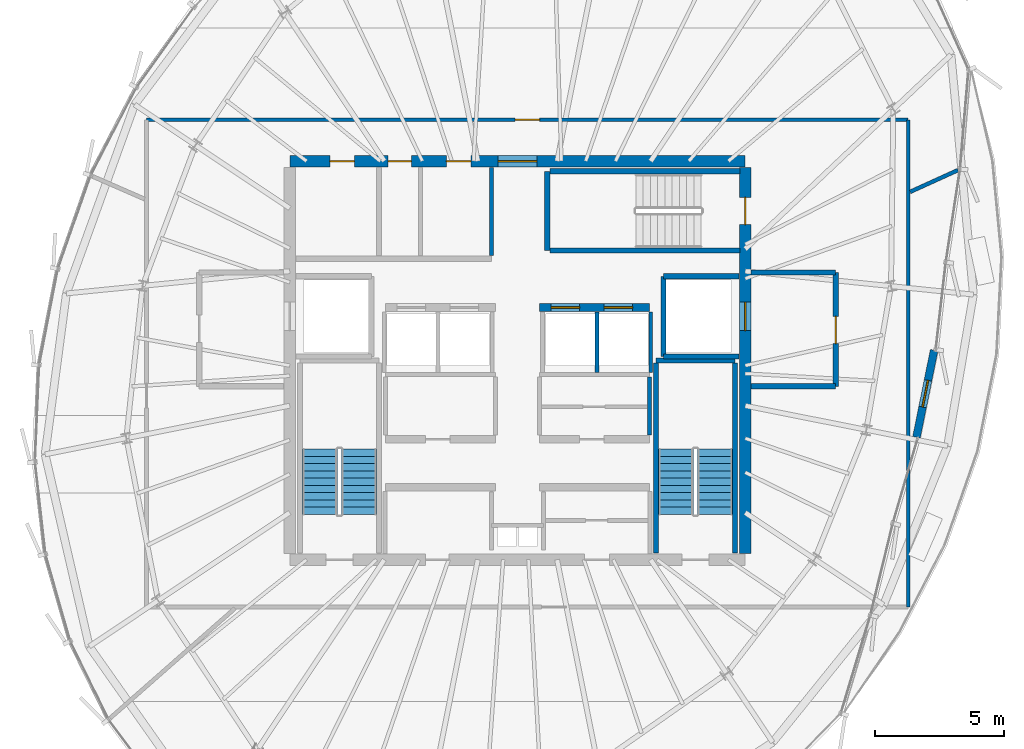
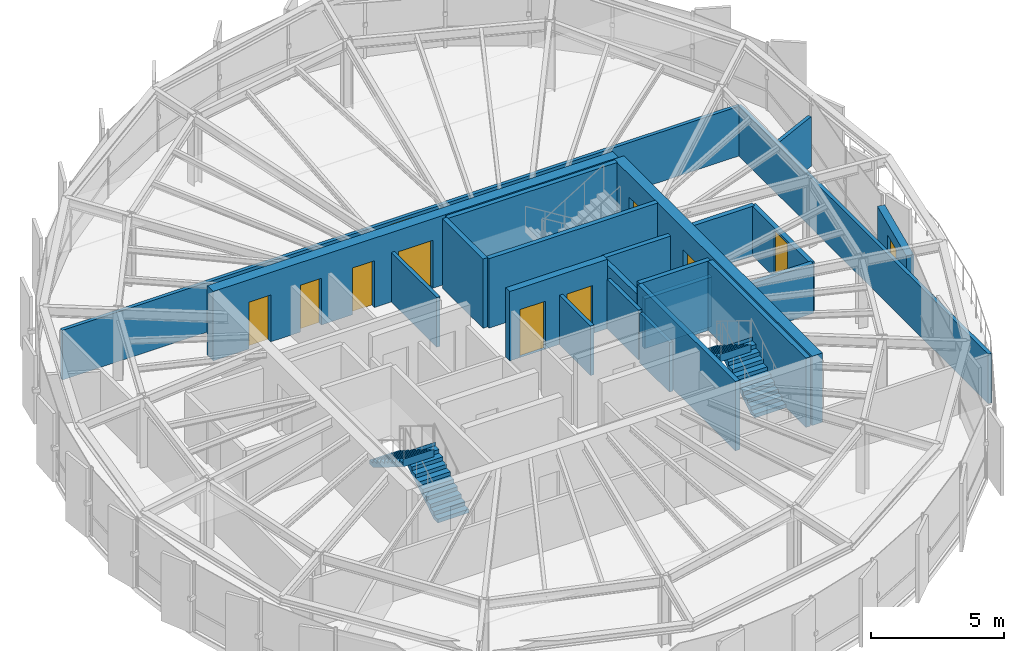
# One storey, part 26 of 31: 23 walls, 11 doors, 4 stair flights, 11 openings, 2 elements without a shape of their own.
"""IFC4 building model written with IfcOpenShell, lengths in metres."""

from ifc_helpers import new_model, si_unit, direction, frame, frame_2d, origin, place, context, subcontext, project, spatial, polyline, rectangle, outline, extrude, source, transform, mapped, material, layer, layer_set, type_object, element, fill, aggregate, save


model = new_model("IFC4")

# Units and contexts
model_context = context("Model", 3, precision=1e-05, world=origin(), true_north=direction((0.0, 1.0)))
body_context = subcontext(model_context, "Body", "Model", "MODEL_VIEW")
ifc_project = project(units=[si_unit("LENGTHUNIT", "METRE"), si_unit("AREAUNIT", "SQUARE_METRE"), si_unit("VOLUMEUNIT", "CUBIC_METRE"), si_unit("PLANEANGLEUNIT", "RADIAN"), si_unit("MASSUNIT", "GRAM", prefix="KILO"), si_unit("THERMODYNAMICTEMPERATUREUNIT", "KELVIN")], contexts=[model_context])

# Site, building, storey
site_placement = place(None, origin())
site = spatial("IfcSite", under=ifc_project, at=site_placement, CompositionType="ELEMENT")
building_placement = place(site_placement, origin())
building = spatial("IfcBuilding", under=site, at=building_placement, Name="Kethvar Cultural Tower", CompositionType="ELEMENT")
storey_placement = place(building_placement, frame((0.0, 0.0, 300.85009765625)))
storey = spatial("IfcBuildingStorey", under=building, at=storey_placement, Name="L80", CompositionType="ELEMENT", Elevation=300.85009765625)

# Wall, openings, doors
ifc_material_1 = material(Name="Concrete C50/60", Category="concrete")
ifc_layer_1 = layer(ifc_material_1, 0.449951171875, Name="Concrete C50/60", Category="concrete")
ifc_layer_set_1 = layer_set([ifc_layer_1], Name="Concrete C50/60 (450 mm)")
wall_type_1 = type_object("IfcWallType", Name="WL-CORE-450", PredefinedType="SHEAR", material=ifc_layer_set_1)
wall_1_placement = place(storey_placement, frame((55.60009765625, 35.5, 0.0), z_axis=(0.0, 0.0, 1.0), x_axis=(-1.0, 0.0, 0.0)))
wall_1 = element("IfcWall", 1, at=wall_1_placement, inside=storey, type_object=wall_type_1, Name="L80 Core Shear Wall N", PredefinedType="SHEAR", context=body_context, shape_type="SweptSolid", body=[
    extrude(rectangle(XDim=17.60009765625, YDim=0.449951171875, at=frame_2d((8.800048828125, 0.0))), origin(), (0.0, 0.0, 1.0), 3.184814453125),
])
opening_1_placement = place(wall_1_placement, frame((8.050048828125, 0.0, 0.0)))
opening_1 = element("IfcOpeningElement", 2, at=opening_1_placement, cuts=wall_1, Name="Opening D-L80-LN", PredefinedType="OPENING", context=body_context, shape_type="SweptSolid", body=[
    extrude(rectangle(XDim=1.5, YDim=2.199951171875, at=frame_2d((0.75, 1.10009765625))), frame((0.0, 0.23486328125, 0.0), z_axis=(0.0, -1.0, 0.0), x_axis=(1.0, 0.0, 0.0)), (0.0, 0.0, 1.0), 0.469970703125),
])
opening_2_placement = place(wall_1_placement, frame((15.10009765625, 0.0, 0.0)))
opening_2 = element("IfcOpeningElement", 3, at=opening_2_placement, cuts=wall_1, Name="Opening D-L80-E1", PredefinedType="OPENING", context=body_context, shape_type="SweptSolid", body=[
    extrude(rectangle(XDim=0.949951171875, YDim=2.14990234375, at=frame_2d((0.47509765625, 1.074951171875))), frame((0.0, 0.23486328125, 0.0), z_axis=(0.0, -1.0, 0.0), x_axis=(1.0, 0.0, 0.0)), (0.0, 0.0, 1.0), 0.469970703125),
])
opening_3_placement = place(wall_1_placement, frame((12.89990234375, 0.0, 0.0)))
opening_3 = element("IfcOpeningElement", 4, at=opening_3_placement, cuts=wall_1, Name="Opening D-L80-W1", PredefinedType="OPENING", context=body_context, shape_type="SweptSolid", body=[
    extrude(rectangle(XDim=0.89990234375, YDim=2.14990234375, at=frame_2d((0.449951171875, 1.074951171875))), frame((0.0, 0.23486328125, 0.0), z_axis=(0.0, -1.0, 0.0), x_axis=(1.0, 0.0, 0.0)), (0.0, 0.0, 1.0), 0.469970703125),
])
opening_4_placement = place(wall_1_placement, frame((10.60009765625, 0.0, 0.0)))
opening_4 = element("IfcOpeningElement", 5, at=opening_4_placement, cuts=wall_1, Name="Opening D-L80-W2", PredefinedType="OPENING", context=body_context, shape_type="SweptSolid", body=[
    extrude(rectangle(XDim=0.949951171875, YDim=2.14990234375, at=frame_2d((0.47509765625, 1.074951171875))), frame((0.0, 0.23486328125, 0.0), z_axis=(0.0, -1.0, 0.0), x_axis=(1.0, 0.0, 0.0)), (0.0, 0.0, 1.0), 0.469970703125),
])
ifc_material_2 = material(Name="Architectural Oak Timber", Category="wood")
door_type_1 = type_object("IfcDoorType", Name="DR-DBL-FD60-1500", OperationType="DOUBLE_DOOR_SINGLE_SWING", PredefinedType="DOOR", material=ifc_material_2)
shared_shape_1 = source(origin(), body_context, "Body", "SweptSolid", [
    extrude(rectangle(XDim=1.5, YDim=2.199951171875, at=frame_2d((0.75, 1.10009765625))), frame((0.0, 0.02490234375, 0.0), z_axis=(0.0, -1.0, 0.0), x_axis=(1.0, 0.0, 0.0)), (0.0, 0.0, 1.0), 0.050048828125),
])
door_1_placement = place(opening_1_placement, origin())
door_1 = element("IfcDoor", 6, at=door_1_placement, inside=storey, type_object=door_type_1, Name="L80 Lift Lobby Concourse Door", OperationType="DOUBLE_DOOR_SINGLE_SWING", OverallHeight=2.199951171875, OverallWidth=1.5, PredefinedType="DOOR", context=body_context, shape_type="MappedRepresentation", body=[
    mapped(shared_shape_1, transform((0.0, 0.0, 0.0), scale=1.0)),
])
fill(opening_1, door_1)
door_type_2 = type_object("IfcDoorType", Name="DR-FD30-950", OperationType="NOTDEFINED", PredefinedType="DOOR", material=ifc_material_2)
shared_shape_2 = source(origin(), body_context, "Body", "SweptSolid", [
    extrude(rectangle(XDim=0.949951171875, YDim=2.14990234375, at=frame_2d((0.47509765625, 1.074951171875))), frame((0.0, 0.02490234375, 0.0), z_axis=(0.0, -1.0, 0.0), x_axis=(1.0, 0.0, 0.0)), (0.0, 0.0, 1.0), 0.050048828125),
])
door_2_placement = place(opening_2_placement, origin())
door_2 = element("IfcDoor", 7, at=door_2_placement, inside=storey, type_object=door_type_2, Name="L80 Electrical Switchgear Door", OperationType="SINGLE_SWING_RIGHT", OverallHeight=2.14990234375, OverallWidth=0.949951171875, PredefinedType="DOOR", context=body_context, shape_type="MappedRepresentation", body=[
    mapped(shared_shape_2, transform((0.0, 0.0, 0.0), scale=1.0)),
])
fill(opening_2, door_2)
door_3_placement = place(opening_4_placement, origin())
door_3 = element("IfcDoor", 8, at=door_3_placement, inside=storey, type_object=door_type_2, Name="L80 Public Washroom Door", OperationType="SINGLE_SWING_RIGHT", OverallHeight=2.14990234375, OverallWidth=0.949951171875, PredefinedType="DOOR", context=body_context, shape_type="MappedRepresentation", body=[
    mapped(shared_shape_2, transform((0.0, 0.0, 0.0), scale=1.0)),
])
fill(opening_4, door_3)
door_type_3 = type_object("IfcDoorType", Name="DR-FD30-900", OperationType="NOTDEFINED", PredefinedType="DOOR", material=ifc_material_2)
shared_shape_3 = source(origin(), body_context, "Body", "SweptSolid", [
    extrude(rectangle(XDim=0.89990234375, YDim=2.14990234375, at=frame_2d((0.449951171875, 1.074951171875))), frame((0.0, 0.02490234375, 0.0), z_axis=(0.0, -1.0, 0.0), x_axis=(1.0, 0.0, 0.0)), (0.0, 0.0, 1.0), 0.050048828125),
])
door_4_placement = place(opening_3_placement, origin())
door_4 = element("IfcDoor", 9, at=door_4_placement, inside=storey, type_object=door_type_3, Name="L80 Accessible Washroom Door", OperationType="SINGLE_SWING_LEFT", OverallHeight=2.14990234375, OverallWidth=0.89990234375, PredefinedType="DOOR", context=body_context, shape_type="MappedRepresentation", body=[
    mapped(shared_shape_3, transform((0.0, 0.0, 0.0), scale=1.0)),
])
fill(opening_3, door_4)

wall_2_placement = place(storey_placement, frame((55.60009765625, 20.340087890625, 0.0), z_axis=(0.0, 0.0, 1.0), x_axis=(0.0, 1.0, 0.0)))
wall_2 = element("IfcWall", 10, at=wall_2_placement, inside=storey, type_object=wall_type_1, Name="L80 Core Shear Wall E", PredefinedType="SHEAR", context=body_context, shape_type="SweptSolid", body=[
    extrude(rectangle(XDim=14.919921875, YDim=0.449951171875, at=frame_2d((7.4599609375, 0.0))), origin(), (0.0, 0.0, 1.0), 3.184814453125),
])
opening_5_placement = place(wall_2_placement, frame((12.7099609375, 0.0, 0.0)))
opening_5 = element("IfcOpeningElement", 11, at=opening_5_placement, cuts=wall_2, Name="Opening D-L80-S3", PredefinedType="OPENING", context=body_context, shape_type="SweptSolid", body=[
    extrude(rectangle(XDim=1.050048828125, YDim=2.14990234375, at=frame_2d((0.52490234375, 1.074951171875))), frame((0.0, 0.23486328125, 0.0), z_axis=(0.0, -1.0, 0.0), x_axis=(1.0, 0.0, 0.0)), (0.0, 0.0, 1.0), 0.469970703125),
])
opening_6_placement = place(wall_2_placement, frame((8.610107421875, 0.0, 0.0)))
opening_6 = element("IfcOpeningElement", 12, at=opening_6_placement, cuts=wall_2, Name="Opening LD-2", PredefinedType="OPENING", context=body_context, shape_type="SweptSolid", body=[
    extrude(rectangle(XDim=1.10009765625, YDim=2.199951171875, at=frame_2d((0.550048828125, 1.10009765625))), frame((0.0, 0.23486328125, 0.0), z_axis=(0.0, -1.0, 0.0), x_axis=(1.0, 0.0, 0.0)), (0.0, 0.0, 1.0), 0.469970703125),
])
ifc_material_3 = material(Name="Steel S355J2", Category="steel")
door_type_4 = type_object("IfcDoorType", Name="DR-FD60-1050", OperationType="NOTDEFINED", PredefinedType="DOOR", material=ifc_material_3)
shared_shape_4 = source(origin(), body_context, "Body", "SweptSolid", [
    extrude(rectangle(XDim=1.050048828125, YDim=2.14990234375, at=frame_2d((0.52490234375, 1.074951171875))), frame((0.0, 0.02490234375, 0.0), z_axis=(0.0, -1.0, 0.0), x_axis=(1.0, 0.0, 0.0)), (0.0, 0.0, 1.0), 0.050048828125),
])
door_5_placement = place(opening_5_placement, origin())
door_5 = element("IfcDoor", 13, at=door_5_placement, inside=storey, type_object=door_type_4, Name="L80 Exit Stair 3 Door", OperationType="SINGLE_SWING_LEFT", OverallHeight=2.14990234375, OverallWidth=1.050048828125, PredefinedType="DOOR", context=body_context, shape_type="MappedRepresentation", body=[
    mapped(shared_shape_4, transform((0.0, 0.0, 0.0), scale=1.0)),
])
fill(opening_5, door_5)
door_type_5 = type_object("IfcDoorType", Name="DR-LIFT-SLIDE-1100", OperationType="NOTDEFINED", PredefinedType="DOOR", material=ifc_material_3)
shared_shape_5 = source(origin(), body_context, "Body", "SweptSolid", [
    extrude(rectangle(XDim=1.10009765625, YDim=2.199951171875, at=frame_2d((0.550048828125, 1.10009765625))), frame((0.0, 0.02490234375, 0.0), z_axis=(0.0, -1.0, 0.0), x_axis=(1.0, 0.0, 0.0)), (0.0, 0.0, 1.0), 0.050048828125),
])
door_6_placement = place(opening_6_placement, origin())
door_6 = element("IfcDoor", 14, at=door_6_placement, inside=storey, type_object=door_type_5, Name="L80 Firefighting Lift Landing Door FFL-02", OperationType="SLIDING_TO_RIGHT", OverallHeight=2.199951171875, OverallWidth=1.10009765625, PredefinedType="DOOR", context=body_context, shape_type="MappedRepresentation", body=[
    mapped(shared_shape_5, transform((0.0, 0.0, 0.0), scale=1.0)),
])
fill(opening_6, door_6)

# Wall, opening, door
ifc_material_4 = material(Name="Concrete C40/50", Category="concrete")
ifc_layer_2 = layer(ifc_material_4, 0.300048828125, Name="Concrete C40/50", Category="concrete")
ifc_layer_set_2 = layer_set([ifc_layer_2], Name="Concrete C40/50 (300 mm)")
wall_type_2 = type_object("IfcWallType", Name="WL-EXT-TER-300", PredefinedType="SOLIDWALL", material=ifc_layer_set_2)
wall_3_placement = place(storey_placement, frame((62.905029296875, 28.197021484375, 0.0), z_axis=(0.0, 0.0, 1.0), x_axis=(-0.199011946344, -0.979997063879, 0.0)))
wall_3 = element("IfcWall", 15, at=wall_3_placement, inside=storey, type_object=wall_type_2, Name="L80 Sky Terrace Access Wall", PredefinedType="SOLIDWALL", context=body_context, shape_type="SweptSolid", body=[
    extrude(rectangle(XDim=3.436279296875, YDim=0.300048828125, at=frame_2d((1.71826171875, 0.0))), origin(), (0.0, 0.0, 1.0), 2.7099609375),
])
opening_7_placement = place(wall_3_placement, frame((1.193115234375, 0.0, 0.0)))
opening_7 = element("IfcOpeningElement", 16, at=opening_7_placement, cuts=wall_3, Name="Opening D-L80-T1", PredefinedType="OPENING", context=body_context, shape_type="SweptSolid", body=[
    extrude(rectangle(XDim=1.050048828125, YDim=2.199951171875, at=frame_2d((0.52490234375, 1.10009765625))), frame((0.0, 0.159912109375, 0.0), z_axis=(0.0, -1.0, 0.0), x_axis=(1.0, 0.0, 0.0)), (0.0, 0.0, 1.0), 0.320068359375),
])
ifc_material_5 = material(Name="Aluminium 6063-T6", Category="aluminium")
door_type_6 = type_object("IfcDoorType", Name="DR-EXT-TER-1050", OperationType="NOTDEFINED", PredefinedType="DOOR", material=ifc_material_5)
shared_shape_6 = source(origin(), body_context, "Body", "SweptSolid", [
    extrude(rectangle(XDim=1.050048828125, YDim=2.199951171875, at=frame_2d((0.52490234375, 1.10009765625))), frame((0.0, 0.02490234375, 0.0), z_axis=(0.0, -1.0, 0.0), x_axis=(1.0, 0.0, 0.0)), (0.0, 0.0, 1.0), 0.050048828125),
])
door_7_placement = place(opening_7_placement, origin())
door_7 = element("IfcDoor", 17, at=door_7_placement, inside=storey, type_object=door_type_6, Name="L80 Sky Terrace Access Door D-L80-T1", OperationType="SINGLE_SWING_LEFT", OverallHeight=2.199951171875, OverallWidth=1.050048828125, PredefinedType="DOOR", context=body_context, shape_type="MappedRepresentation", body=[
    mapped(shared_shape_6, transform((0.0, 0.0, 0.0), scale=1.0)),
])
fill(opening_7, door_7)

# Walls
ifc_material_6 = material(Name="Gypsum Fireboard Partition")
ifc_layer_3 = layer(ifc_material_6, 0.14990234375, Name="Gypsum Fireboard Partition")
ifc_layer_set_3 = layer_set([ifc_layer_3], Name="Gypsum Fireboard Partition (150 mm)")
wall_type_3 = type_object("IfcWallType", Name="WL-FIRE-150", PredefinedType="PARTITIONING", material=ifc_layer_set_3)
wall_4_placement = place(storey_placement, frame((51.89990234375, 24.919921875, 0.0), z_axis=(0.0, 0.0, 1.0), x_axis=(0.0, 1.0, 0.0)))
element("IfcWall", 18, at=wall_4_placement, inside=storey, type_object=wall_type_3, Name="L80 Reclaimed Mid Outer E", PredefinedType="PARTITIONING", context=body_context, shape_type="SweptSolid", body=[
    extrude(rectangle(XDim=2.239990234375, YDim=0.14990234375, at=frame_2d((1.1201171875, 0.0))), origin(), (0.0, 0.0, 1.0), 2.27978515625),
])
for number, where, z_axis, x_axis, name in (
    (19, (49.875, 27.340087890625, 0.0), (0.0, 0.0, 1.0), (0.0, 1.0, 0.0), "L80 High-Rise Lift Shaft Divider E"),
    (20, (51.949951171875, 27.340087890625, 0.0), (0.0, 0.0, 1.0), (0.0, 1.0, 0.0), "L80 High-Rise Lift Shaft Outer Wall E"),
):
    element("IfcWall", number, at=place(storey_placement, frame(where, z_axis=z_axis, x_axis=x_axis)), inside=storey, type_object=wall_type_3, Name=name, PredefinedType="PARTITIONING", context=body_context, shape_type="SweptSolid", body=[
        extrude(rectangle(XDim=2.33984375, YDim=0.14990234375, at=frame_2d((1.169921875, 0.0))), origin(), (0.0, 0.0, 1.0), 2.27978515625),
    ])
wall_5_placement = place(storey_placement, frame((45.800048828125, 31.85009765625, 0.0), z_axis=(0.0, 0.0, 1.0), x_axis=(0.0, 1.0, 0.0)))
element("IfcWall", 21, at=wall_5_placement, inside=storey, type_object=wall_type_3, Name="L80 Sanitary Spine Wall", PredefinedType="PARTITIONING", context=body_context, shape_type="SweptSolid", body=[
    extrude(rectangle(XDim=3.414794921875, YDim=0.14990234375, at=frame_2d((1.70751953125, 0.0))), origin(), (0.0, 0.0, 1.0), 2.27978515625),
])
wall_6_placement = place(storey_placement, frame((61.902099609375, 18.26904296875, 0.0), z_axis=(0.0, 0.0, 1.0), x_axis=(0.0, 1.0, 0.0)))
element("IfcWall", 22, at=wall_6_placement, inside=storey, type_object=wall_type_3, Name="L80 Corridor Rated Wall E", PredefinedType="PARTITIONING", context=body_context, shape_type="SweptSolid", body=[
    extrude(rectangle(XDim=18.8310546875, YDim=0.14990234375, at=frame_2d((9.41552734375, 0.0))), origin(), (0.0, 0.0, 1.0), 2.27978515625),
])

# Wall, opening, door
wall_7_placement = place(storey_placement, frame((61.902099609375, 37.10009765625, 0.0), z_axis=(0.0, 0.0, 1.0), x_axis=(-1.0, 0.0, 0.0)))
wall_7 = element("IfcWall", 23, at=wall_7_placement, inside=storey, type_object=wall_type_3, Name="L80 Corridor Rated Wall N", PredefinedType="PARTITIONING", context=body_context, shape_type="SweptSolid", body=[
    extrude(rectangle(XDim=29.442138671875, YDim=0.14990234375, at=frame_2d((14.72119140625, 0.0))), origin(), (0.0, 0.0, 1.0), 2.27978515625),
])
opening_8_placement = place(wall_7_placement, frame((14.24609375, 0.0, 0.0)))
opening_8 = element("IfcOpeningElement", 24, at=opening_8_placement, cuts=wall_7, Name="Opening D-L80-02", PredefinedType="OPENING", context=body_context, shape_type="SweptSolid", body=[
    extrude(rectangle(XDim=0.949951171875, YDim=2.14990234375, at=frame_2d((0.47509765625, 1.074951171875))), frame((0.0, 0.0849609375, 0.0), z_axis=(0.0, -1.0, 0.0), x_axis=(1.0, 0.0, 0.0)), (0.0, 0.0, 1.0), 0.169921875),
])
door_8_placement = place(opening_8_placement, origin())
door_8 = element("IfcDoor", 25, at=door_8_placement, inside=storey, type_object=door_type_2, Name="L80 Panoramic Viewing Exhibition Gallery 02 Door", OperationType="SINGLE_SWING_RIGHT", OverallHeight=2.14990234375, OverallWidth=0.949951171875, PredefinedType="DOOR", context=body_context, shape_type="MappedRepresentation", body=[
    mapped(shared_shape_2, transform((0.0, 0.0, 0.0), scale=1.0)),
])
fill(opening_8, door_8)

# Walls
ifc_layer_4 = layer(ifc_material_4, 0.199951171875, Name="Concrete C40/50", Category="concrete")
ifc_layer_set_4 = layer_set([ifc_layer_4], Name="Concrete C40/50 (200 mm)")
wall_type_4 = type_object("IfcWallType", Name="WL-FIRE-200", PredefinedType="PARTITIONING", material=ifc_layer_set_4)
wall_8_placement = place(storey_placement, frame((52.449951171875, 27.949951171875, 0.0), z_axis=(0.0, 0.0, 1.0), x_axis=(0.0, 1.0, 0.0)))
element("IfcWall", 26, at=wall_8_placement, inside=storey, type_object=wall_type_4, Name="L80 FFL-02 Shaft Inner Wall", PredefinedType="PARTITIONING", context=body_context, shape_type="SweptSolid", body=[
    extrude(rectangle(XDim=3.10009765625, YDim=0.199951171875, at=frame_2d((1.550048828125, 0.0))), origin(), (0.0, 0.0, 1.0), 2.27978515625),
])
for number, where, z_axis, x_axis, name in (
    (27, (52.449951171875, 27.949951171875, 0.0), (0.0, 0.0, 1.0), (1.0, 0.0, 0.0), "L80 FFL-02 Shaft South Wall"),
    (28, (52.449951171875, 31.050048828125, 0.0), (0.0, 0.0, 1.0), (1.0, 0.0, 0.0), "L80 FFL-02 Shaft North Wall"),
):
    element("IfcWall", number, at=place(storey_placement, frame(where, z_axis=z_axis, x_axis=x_axis)), inside=storey, type_object=wall_type_4, Name=name, PredefinedType="PARTITIONING", context=body_context, shape_type="SweptSolid", body=[
        extrude(rectangle(XDim=2.9150390625, YDim=0.199951171875, at=frame_2d((1.45751953125, 0.0))), origin(), (0.0, 0.0, 1.0), 2.27978515625),
    ])

# Wall, opening, door
wall_9_placement = place(storey_placement, frame((59.10009765625, 26.800048828125, 0.0), z_axis=(0.0, 0.0, 1.0), x_axis=(0.0, 1.0, 0.0)))
wall_9 = element("IfcWall", 29, at=wall_9_placement, inside=storey, type_object=wall_type_4, Name="L80 Firefighting Lobby 2 Wall", PredefinedType="PARTITIONING", context=body_context, shape_type="SweptSolid", body=[
    extrude(rectangle(XDim=4.39990234375, YDim=0.199951171875, at=frame_2d((2.199951171875, 0.0))), origin(), (0.0, 0.0, 1.0), 2.27978515625),
])
opening_9_placement = place(wall_9_placement, frame((1.64990234375, 0.0, 0.0)))
opening_9 = element("IfcOpeningElement", 30, at=opening_9_placement, cuts=wall_9, Name="Opening D-L80-F2", PredefinedType="OPENING", context=body_context, shape_type="SweptSolid", body=[
    extrude(rectangle(XDim=1.050048828125, YDim=2.14990234375, at=frame_2d((0.52490234375, 1.074951171875))), frame((0.0, 0.10986328125, 0.0), z_axis=(0.0, -1.0, 0.0), x_axis=(1.0, 0.0, 0.0)), (0.0, 0.0, 1.0), 0.219970703125),
])
door_9_placement = place(opening_9_placement, origin())
door_9 = element("IfcDoor", 31, at=door_9_placement, inside=storey, type_object=door_type_4, Name="L80 Firefighting Lobby 2 Fire Door", OperationType="SINGLE_SWING_LEFT", OverallHeight=2.14990234375, OverallWidth=1.050048828125, PredefinedType="DOOR", context=body_context, shape_type="MappedRepresentation", body=[
    mapped(shared_shape_4, transform((0.0, 0.0, 0.0), scale=1.0)),
])
fill(opening_9, door_9)

# Walls
for number, where, z_axis, x_axis, name in (
    (32, (55.8349609375, 26.800048828125, 0.0), (0.0, 0.0, 1.0), (1.0, 0.0, 0.0), "L80 FF Lobby 2 South Wall"),
    (33, (55.8349609375, 31.199951171875, 0.0), (0.0, 0.0, 1.0), (1.0, 0.0, 0.0), "L80 FF Lobby 2 North Wall"),
):
    element("IfcWall", number, at=place(storey_placement, frame(where, z_axis=z_axis, x_axis=x_axis)), inside=storey, type_object=wall_type_4, Name=name, PredefinedType="PARTITIONING", context=body_context, shape_type="SweptSolid", body=[
        extrude(rectangle(XDim=3.26513671875, YDim=0.199951171875, at=frame_2d((1.632568359375, 0.0))), origin(), (0.0, 0.0, 1.0), 2.27978515625),
    ])
ifc_material_7 = material(Name="Gypsum Acoustic Partition")
ifc_layer_5 = layer(ifc_material_7, 0.14990234375, Name="Gypsum Acoustic Partition")
ifc_layer_set_5 = layer_set([ifc_layer_5], Name="Gypsum Acoustic Partition (150 mm)")
wall_type_5 = type_object("IfcWallType", Name="WL-PART-150", PredefinedType="PARTITIONING", material=ifc_layer_set_5)
wall_10_placement = place(storey_placement, frame((61.974853515625, 34.3134765625, 0.0), z_axis=(0.0, 0.0, 1.0), x_axis=(0.910329433421, 0.413884431512, 0.0)))
element("IfcWall", 34, at=wall_10_placement, inside=storey, type_object=wall_type_5, Name="L80 Radial Partition Wall 03", PredefinedType="PARTITIONING", context=body_context, shape_type="SweptSolid", body=[
    extrude(rectangle(XDim=2.031494140625, YDim=0.14990234375, at=frame_2d((1.015625, 0.0))), origin(), (0.0, 0.0, 1.0), 2.27978515625),
])

# Wall, openings, doors
ifc_layer_6 = layer(ifc_material_1, 0.300048828125, Name="Concrete C50/60", Category="concrete")
ifc_layer_set_6 = layer_set([ifc_layer_6], Name="Concrete C50/60 (300 mm)")
wall_type_6 = type_object("IfcWallType", Name="WL-SHAFT-300", PredefinedType="SHEAR", material=ifc_layer_set_6)
wall_11_placement = place(storey_placement, frame((47.64990234375, 29.85009765625, 0.0), z_axis=(0.0, 0.0, 1.0), x_axis=(1.0, 0.0, 0.0)))
wall_11 = element("IfcWall", 35, at=wall_11_placement, inside=storey, type_object=wall_type_6, Name="L80 Core Lift Spine Wall MID3E", PredefinedType="SHEAR", context=body_context, shape_type="SweptSolid", body=[
    extrude(rectangle(XDim=4.25, YDim=0.300048828125, at=frame_2d((2.125, 0.0))), origin(), (0.0, 0.0, 1.0), 3.184814453125),
])
opening_10_placement = place(wall_11_placement, frame((0.449951171875, 0.0, 0.0)))
opening_10 = element("IfcOpeningElement", 36, at=opening_10_placement, cuts=wall_11, Name="Opening LD-H3", PredefinedType="OPENING", context=body_context, shape_type="SweptSolid", body=[
    extrude(rectangle(XDim=1.10009765625, YDim=2.199951171875, at=frame_2d((0.550048828125, 1.10009765625))), frame((0.0, 0.159912109375, 0.0), z_axis=(0.0, -1.0, 0.0), x_axis=(1.0, 0.0, 0.0)), (0.0, 0.0, 1.0), 0.320068359375),
])
opening_11_placement = place(wall_11_placement, frame((2.5, 0.0, 0.0)))
opening_11 = element("IfcOpeningElement", 37, at=opening_11_placement, cuts=wall_11, Name="Opening LD-H4", PredefinedType="OPENING", context=body_context, shape_type="SweptSolid", body=[
    extrude(rectangle(XDim=1.10009765625, YDim=2.199951171875, at=frame_2d((0.550048828125, 1.10009765625))), frame((0.0, 0.159912109375, 0.0), z_axis=(0.0, -1.0, 0.0), x_axis=(1.0, 0.0, 0.0)), (0.0, 0.0, 1.0), 0.320068359375),
])
door_10_placement = place(opening_10_placement, origin())
door_10 = element("IfcDoor", 38, at=door_10_placement, inside=storey, type_object=door_type_5, Name="L80 High-Rise Lift Landing Door H3", OperationType="SLIDING_TO_LEFT", OverallHeight=2.199951171875, OverallWidth=1.10009765625, PredefinedType="DOOR", context=body_context, shape_type="MappedRepresentation", body=[
    mapped(shared_shape_5, transform((0.0, 0.0, 0.0), scale=1.0)),
])
fill(opening_10, door_10)
door_11_placement = place(opening_11_placement, origin())
door_11 = element("IfcDoor", 39, at=door_11_placement, inside=storey, type_object=door_type_5, Name="L80 High-Rise Lift Landing Door H4", OperationType="SLIDING_TO_LEFT", OverallHeight=2.199951171875, OverallWidth=1.10009765625, PredefinedType="DOOR", context=body_context, shape_type="MappedRepresentation", body=[
    mapped(shared_shape_5, transform((0.0, 0.0, 0.0), scale=1.0)),
])
fill(opening_11, door_11)

# Walls
ifc_layer_7 = layer(ifc_material_1, 0.199951171875, Name="Concrete C50/60", Category="concrete")
ifc_layer_set_7 = layer_set([ifc_layer_7], Name="Concrete C50/60 (200 mm)")
wall_type_7 = type_object("IfcWallType", Name="WL-STSHAFT-200", PredefinedType="SHEAR", material=ifc_layer_set_7)
wall_12_placement = place(storey_placement, frame((52.14990234375, 27.800048828125, 0.0), z_axis=(0.0, 0.0, 1.0), x_axis=(1.0, 0.0, 0.0)))
element("IfcWall", 40, at=wall_12_placement, inside=storey, type_object=wall_type_7, Name="L80 ST-02 Stair Shaft Wall FAR", PredefinedType="SHEAR", context=body_context, shape_type="SweptSolid", body=[
    extrude(rectangle(XDim=3.06005859375, YDim=0.199951171875, at=frame_2d((1.530029296875, 0.0))), origin(), (0.0, 0.0, 1.0), 3.184814453125),
])
for number, where, z_axis, x_axis, name in (
    (41, (55.2099609375, 27.699951171875, 0.0), (0.0, 0.0, 1.0), (0.0, -1.0, 0.0), "L80 ST-02 Stair Shaft Wall LEFT"),
    (42, (52.14990234375, 20.35009765625, 0.0), (0.0, 0.0, 1.0), (0.0, 1.0, 0.0), "L80 ST-02 Stair Shaft Wall RIGHT"),
):
    element("IfcWall", number, at=place(storey_placement, frame(where, z_axis=z_axis, x_axis=x_axis)), inside=storey, type_object=wall_type_7, Name=name, PredefinedType="SHEAR", context=body_context, shape_type="SweptSolid", body=[
        extrude(rectangle(XDim=7.349853515625, YDim=0.199951171875, at=frame_2d((3.6748046875, 0.0))), origin(), (0.0, 0.0, 1.0), 3.184814453125),
    ])
wall_13_placement = place(storey_placement, frame((47.949951171875, 32.050048828125, 0.0), z_axis=(0.0, 0.0, 1.0), x_axis=(0.0, 1.0, 0.0)))
element("IfcWall", 43, at=wall_13_placement, inside=storey, type_object=wall_type_7, Name="L80 ST-03 Stair Shaft Wall FAR", PredefinedType="SHEAR", context=body_context, shape_type="SweptSolid", body=[
    extrude(rectangle(XDim=3.06005859375, YDim=0.199951171875, at=frame_2d((1.530029296875, 0.0))), origin(), (0.0, 0.0, 1.0), 3.184814453125),
])
for number, where, z_axis, x_axis, name in (
    (44, (48.050048828125, 35.110107421875, 0.0), (0.0, 0.0, 1.0), (1.0, 0.0, 0.0), "L80 ST-03 Stair Shaft Wall LEFT"),
    (45, (55.39990234375, 32.050048828125, 0.0), (0.0, 0.0, 1.0), (-1.0, 0.0, 0.0), "L80 ST-03 Stair Shaft Wall RIGHT"),
):
    element("IfcWall", number, at=place(storey_placement, frame(where, z_axis=z_axis, x_axis=x_axis)), inside=storey, type_object=wall_type_7, Name=name, PredefinedType="SHEAR", context=body_context, shape_type="SweptSolid", body=[
        extrude(rectangle(XDim=7.349853515625, YDim=0.199951171875, at=frame_2d((3.6748046875, 0.0))), origin(), (0.0, 0.0, 1.0), 3.184814453125),
    ])

# Stair, stair flights
stair_type = type_object("IfcStairType", Name="ST-DOGLEG-135", PredefinedType="HALF_TURN_STAIR", material=ifc_material_4)
stair_1_placement = place(storey_placement, origin())
stair_1 = element("IfcStair", 46, at=stair_1_placement, inside=storey, type_object=stair_type, Name="L80 Core Exit Stair 1", PredefinedType="HALF_TURN_STAIR")
stair_flight_type = type_object("IfcStairFlightType", Name="FL-STRAIGHT-135", PredefinedType="STRAIGHT", material=ifc_material_4)
stair_flight_1_placement = place(storey_placement, frame((40.675048828125, 21.85009765625, 0.0), z_axis=(0.0, 0.0, 1.0), x_axis=(0.0, 1.0, 0.0)))
stair_flight_1 = element("IfcStairFlight", 47, at=stair_flight_1_placement, type_object=stair_flight_type, Name="ST-01 flight 1", NumberOfRisers=10, NumberOfTreads=9, PredefinedType="STRAIGHT", RiserHeight=0.1725, TreadLength=0.28, context=body_context, shape_type="SweptSolid", body=[
    extrude(outline(polyline([(-0.0009765625, -0.0009765625), (-0.0009765625, 0.172607421875), (0.280029296875, 0.172607421875), (0.280029296875, 0.344970703125), (0.56005859375, 0.344970703125), (0.56005859375, 0.517578125), (0.840087890625, 0.517578125), (0.840087890625, 0.68994140625), (1.1201171875, 0.68994140625), (1.1201171875, 0.862548828125), (1.39990234375, 0.862548828125), (1.39990234375, 1.034912109375), (1.679931640625, 1.034912109375), (1.679931640625, 1.20751953125), (1.9599609375, 1.20751953125), (1.9599609375, 1.3798828125), (2.239990234375, 1.3798828125), (2.239990234375, 1.552490234375), (2.52001953125, 1.552490234375), (2.52001953125, 1.72509765625), (2.52099609375, 1.72509765625), (2.52099609375, 1.37646484375), (0.285888671875, 0.0), (0.0, -0.0009765625), (-0.0009765625, -0.0009765625)])), frame((0.0, 0.675048828125, 0.0), z_axis=(0.0, -1.0, 0.0), x_axis=(1.0, 0.0, 0.0)), (0.0, 0.0, 1.0), 1.35009765625),
])
stair_flight_2_placement = place(storey_placement, frame((39.1650390625, 24.3701171875, 1.724853515625), z_axis=(0.0, 0.0, 1.0), x_axis=(0.0, -1.0, 0.0)))
stair_flight_2 = element("IfcStairFlight", 48, at=stair_flight_2_placement, type_object=stair_flight_type, Name="ST-01 flight 2", NumberOfRisers=10, NumberOfTreads=9, PredefinedType="STRAIGHT", RiserHeight=0.1725, TreadLength=0.28, context=body_context, shape_type="SweptSolid", body=[
    extrude(outline(polyline([(-0.0009765625, -0.0009765625), (-0.0009765625, 0.172607421875), (0.280029296875, 0.172607421875), (0.280029296875, 0.344970703125), (0.56005859375, 0.344970703125), (0.56005859375, 0.517578125), (0.840087890625, 0.517578125), (0.840087890625, 0.68994140625), (1.1201171875, 0.68994140625), (1.1201171875, 0.862548828125), (1.39990234375, 0.862548828125), (1.39990234375, 1.034912109375), (1.679931640625, 1.034912109375), (1.679931640625, 1.20751953125), (1.9599609375, 1.20751953125), (1.9599609375, 1.3798828125), (2.239990234375, 1.3798828125), (2.239990234375, 1.552490234375), (2.52001953125, 1.552490234375), (2.52001953125, 1.72509765625), (2.52099609375, 1.72509765625), (2.52099609375, 1.37646484375), (0.285888671875, 0.0), (0.0, -0.0009765625), (-0.0009765625, -0.0009765625)])), frame((0.0, 0.675048828125, 0.0), z_axis=(0.0, -1.0, 0.0), x_axis=(1.0, 0.0, 0.0)), (0.0, 0.0, 1.0), 1.35009765625),
])
aggregate(stair_1, [stair_flight_1, stair_flight_2])

stair_2_placement = place(storey_placement, origin())
stair_2 = element("IfcStair", 49, at=stair_2_placement, inside=storey, type_object=stair_type, Name="L80 Core Exit Stair 2", PredefinedType="HALF_TURN_STAIR")
stair_flight_3_placement = place(storey_placement, frame((54.43505859375, 21.85009765625, 0.0), z_axis=(0.0, 0.0, 1.0), x_axis=(0.0, 1.0, 0.0)))
stair_flight_3 = element("IfcStairFlight", 50, at=stair_flight_3_placement, type_object=stair_flight_type, Name="ST-02 flight 1", NumberOfRisers=10, NumberOfTreads=9, PredefinedType="STRAIGHT", RiserHeight=0.1725, TreadLength=0.28, context=body_context, shape_type="SweptSolid", body=[
    extrude(outline(polyline([(-0.0009765625, -0.0009765625), (-0.0009765625, 0.172607421875), (0.280029296875, 0.172607421875), (0.280029296875, 0.344970703125), (0.56005859375, 0.344970703125), (0.56005859375, 0.517578125), (0.840087890625, 0.517578125), (0.840087890625, 0.68994140625), (1.1201171875, 0.68994140625), (1.1201171875, 0.862548828125), (1.39990234375, 0.862548828125), (1.39990234375, 1.034912109375), (1.679931640625, 1.034912109375), (1.679931640625, 1.20751953125), (1.9599609375, 1.20751953125), (1.9599609375, 1.3798828125), (2.239990234375, 1.3798828125), (2.239990234375, 1.552490234375), (2.52001953125, 1.552490234375), (2.52001953125, 1.72509765625), (2.52099609375, 1.72509765625), (2.52099609375, 1.37646484375), (0.285888671875, 0.0), (0.0, -0.0009765625), (-0.0009765625, -0.0009765625)])), frame((0.0, 0.675048828125, 0.0), z_axis=(0.0, -1.0, 0.0), x_axis=(1.0, 0.0, 0.0)), (0.0, 0.0, 1.0), 1.35009765625),
])
stair_flight_4_placement = place(storey_placement, frame((52.925048828125, 24.3701171875, 1.724853515625), z_axis=(0.0, 0.0, 1.0), x_axis=(0.0, -1.0, 0.0)))
stair_flight_4 = element("IfcStairFlight", 51, at=stair_flight_4_placement, type_object=stair_flight_type, Name="ST-02 flight 2", NumberOfRisers=10, NumberOfTreads=9, PredefinedType="STRAIGHT", RiserHeight=0.1725, TreadLength=0.28, context=body_context, shape_type="SweptSolid", body=[
    extrude(outline(polyline([(-0.0009765625, -0.0009765625), (-0.0009765625, 0.172607421875), (0.280029296875, 0.172607421875), (0.280029296875, 0.344970703125), (0.56005859375, 0.344970703125), (0.56005859375, 0.517578125), (0.840087890625, 0.517578125), (0.840087890625, 0.68994140625), (1.1201171875, 0.68994140625), (1.1201171875, 0.862548828125), (1.39990234375, 0.862548828125), (1.39990234375, 1.034912109375), (1.679931640625, 1.034912109375), (1.679931640625, 1.20751953125), (1.9599609375, 1.20751953125), (1.9599609375, 1.3798828125), (2.239990234375, 1.3798828125), (2.239990234375, 1.552490234375), (2.52001953125, 1.552490234375), (2.52001953125, 1.72509765625), (2.52099609375, 1.72509765625), (2.52099609375, 1.37646484375), (0.285888671875, 0.0), (0.0, -0.0009765625), (-0.0009765625, -0.0009765625)])), frame((0.0, 0.675048828125, 0.0), z_axis=(0.0, -1.0, 0.0), x_axis=(1.0, 0.0, 0.0)), (0.0, 0.0, 1.0), 1.35009765625),
])
aggregate(stair_2, [stair_flight_3, stair_flight_4])

save(model, "model.ifc")
